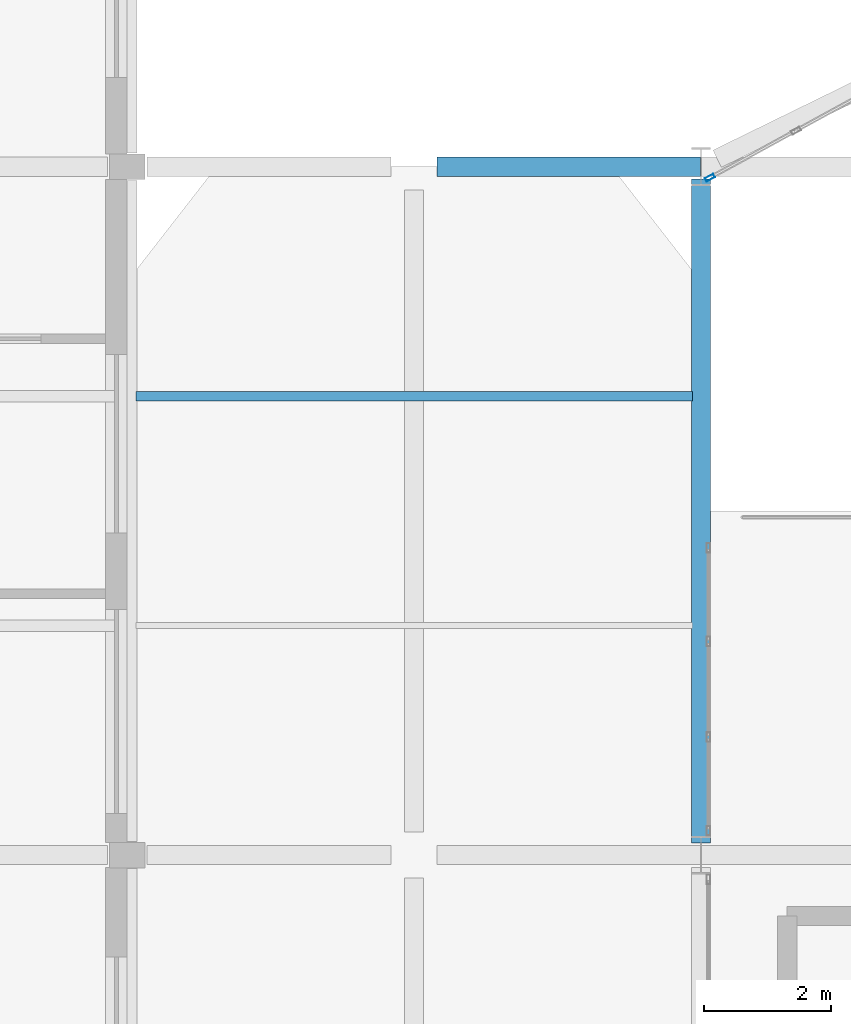
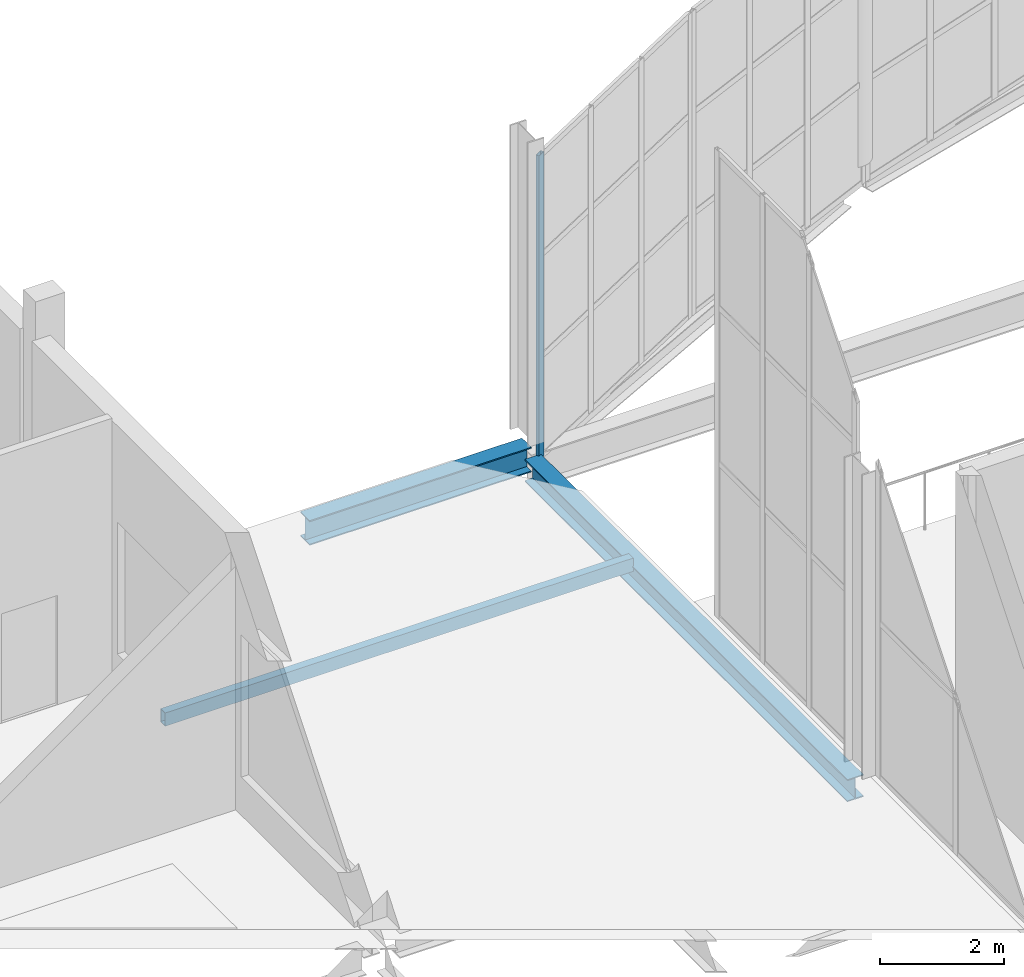
# One storey, part 97 of 191: 3 beams, 1 member, 1 element without a shape of its own.
"""IFC4 building model written with IfcOpenShell, lengths in metres."""

from ifc_helpers import new_model, si_unit, direction, frame, origin, origin_2d, place, context, subcontext, project, spatial, hollow_rectangle, i_section, extrude, material, layer, layer_set, material_profile, profile_set, type_object, element, aggregate, save


model = new_model("IFC4")

# Units and contexts
model_context = context("Model", 3, precision=1e-05, world=origin(), true_north=direction((0.0, 1.0)))
body_context = subcontext(model_context, "Body", "Model", "MODEL_VIEW")
ifc_project = project(units=[si_unit("LENGTHUNIT", "METRE"), si_unit("AREAUNIT", "SQUARE_METRE"), si_unit("VOLUMEUNIT", "CUBIC_METRE"), si_unit("PLANEANGLEUNIT", "RADIAN"), si_unit("MASSUNIT", "GRAM", prefix="KILO")], contexts=[model_context])

# Site, building, storey
site_placement = place(None, origin())
site = spatial("IfcSite", under=ifc_project, at=site_placement, CompositionType="ELEMENT")
building_placement = place(site_placement, origin())
building = spatial("IfcBuilding", under=site, at=building_placement, Name="Tamarisk Ironworks Central Station", CompositionType="ELEMENT")
storey_placement = place(building_placement, frame((0.0, 0.0, 6.60009765625)))
storey = spatial("IfcBuildingStorey", under=building, at=storey_placement, Name="L01", CompositionType="ELEMENT", Elevation=6.60009765625)

# Beams
ifc_material_1 = material(Name="Structural steel S355J2", Category="steel")
ifc_material_profile_1 = material_profile(ifc_material_1, i_section(OverallWidth=0.300048828125, OverallDepth=0.489990234375, WebThickness=0.011962890625, FlangeThickness=0.02294921875, at=origin_2d()), Name="HEA 500")
ifc_profile_set_1 = profile_set([ifc_material_profile_1], Name="Structural steel S355J2")
beam_type_1 = type_object("IfcBeamType", Name="BM-G05", PredefinedType="BEAM", material=ifc_profile_set_1)
beam_1_placement = place(storey_placement, frame((49.863037109375, 111.60009765625, -0.385009765625), z_axis=(1.0, 0.0, 0.0), x_axis=(0.0, 1.0, 0.0)))
element("IfcBeam", 1, at=beam_1_placement, inside=storey, type_object=beam_type_1, Name="L01 primary girder X-0132", PredefinedType="BEAM", context=body_context, shape_type="SweptSolid", body=[
    extrude(i_section(OverallWidth=0.300048828125, OverallDepth=0.489990234375, WebThickness=0.011962890625, FlangeThickness=0.02294921875, at=origin_2d()), origin(), (0.0, 0.0, 1.0), 4.133056640625),
])
ifc_material_profile_2 = material_profile(ifc_material_1, i_section(OverallWidth=0.300048828125, OverallDepth=0.43994140625, WebThickness=0.011474609375, FlangeThickness=0.02099609375, at=origin_2d()), Name="HEA 450")
ifc_profile_set_2 = profile_set([ifc_material_profile_2], Name="Structural steel S355J2")
beam_type_2 = type_object("IfcBeamType", Name="BM-G06", PredefinedType="BEAM", material=ifc_profile_set_2)
beam_2_placement = place(storey_placement, frame((54.0, 100.991455078125, -0.52001953125), z_axis=(0.0, 1.0, 0.0), x_axis=(-1.0, 0.0, 0.0)))
element("IfcBeam", 2, at=beam_2_placement, inside=storey, type_object=beam_type_2, Name="L01 primary girder Y-0214", PredefinedType="BEAM", context=body_context, shape_type="SweptSolid", body=[
    extrude(i_section(OverallWidth=0.300048828125, OverallDepth=0.43994140625, WebThickness=0.011474609375, FlangeThickness=0.02099609375, at=origin_2d()), origin(), (0.0, 0.0, 1.0), 10.4169921875),
])
ifc_material_profile_3 = material_profile(ifc_material_1, hollow_rectangle(XDim=0.14990234375, YDim=0.260009765625, WallThickness=0.010009765625, at=origin_2d()), Name="RHS 260x150x10")
ifc_profile_set_3 = profile_set([ifc_material_profile_3], Name="Structural steel S355J2")
beam_type_3 = type_object("IfcBeamType", Name="BM-SP03", PredefinedType="SPANDREL", material=ifc_profile_set_3)
beam_3_placement = place(storey_placement, frame((45.135009765625, 108.0, -0.27001953125), z_axis=(1.0, 0.0, 0.0), x_axis=(0.0, 1.0, 0.0)))
element("IfcBeam", 3, at=beam_3_placement, inside=storey, type_object=beam_type_3, Name="Forecourt canopy framing beam 004", PredefinedType="SPANDREL", context=body_context, shape_type="SweptSolid", body=[
    extrude(hollow_rectangle(XDim=0.14990234375, YDim=0.260009765625, WallThickness=0.010009765625, at=origin_2d()), origin(), (0.0, 0.0, 1.0), 8.72998046875),
])

# Curtain wall, member
ifc_material_2 = material(Name="Anodized aluminium alloy 6063-T6", Category="aluminium")
ifc_layer = layer(ifc_material_2, 0.179931640625)
ifc_layer_set = layer_set([ifc_layer], Name="Anodized aluminium alloy 6063-T6")
curtain_wall_type = type_object("IfcCurtainWallType", Name="CW-02", PredefinedType="USERDEFINED", material=ifc_layer_set)
curtain_wall_placement = place(storey_placement, origin())
curtain_wall = element("IfcCurtainWall", 4, at=curtain_wall_placement, inside=storey, type_object=curtain_wall_type, Name="NN rounded entrance hall L01 curtain wall bay 01", ObjectType="GLAZED CURTAIN WALL", PredefinedType="USERDEFINED")
ifc_material_profile_4 = material_profile(ifc_material_2, hollow_rectangle(XDim=0.06005859375, YDim=0.14990234375, WallThickness=0.00341796875, at=origin_2d()), Name="ALUM 150x60")
ifc_profile_set_4 = profile_set([ifc_material_profile_4], Name="Anodized aluminium alloy 6063-T6")
member_type = type_object("IfcMemberType", Name="CWM-03", PredefinedType="MULLION", material=ifc_profile_set_4)
member_placement = place(storey_placement, frame((54.14208984375, 111.42724609375, -0.385009765625), z_axis=(0.0, 0.0, 1.0), x_axis=(-0.47980544644, 0.877374910495, 0.0)))
member = element("IfcMember", 5, at=member_placement, type_object=member_type, Name="CW02 mullion 1", PredefinedType="MULLION", context=body_context, shape_type="SweptSolid", body=[
    extrude(hollow_rectangle(XDim=0.06005859375, YDim=0.14990234375, WallThickness=0.00341796875, at=origin_2d()), origin(), (0.0, 0.0, 1.0), 6.0048828125),
])
aggregate(curtain_wall, [member])

save(model, "model.ifc")
